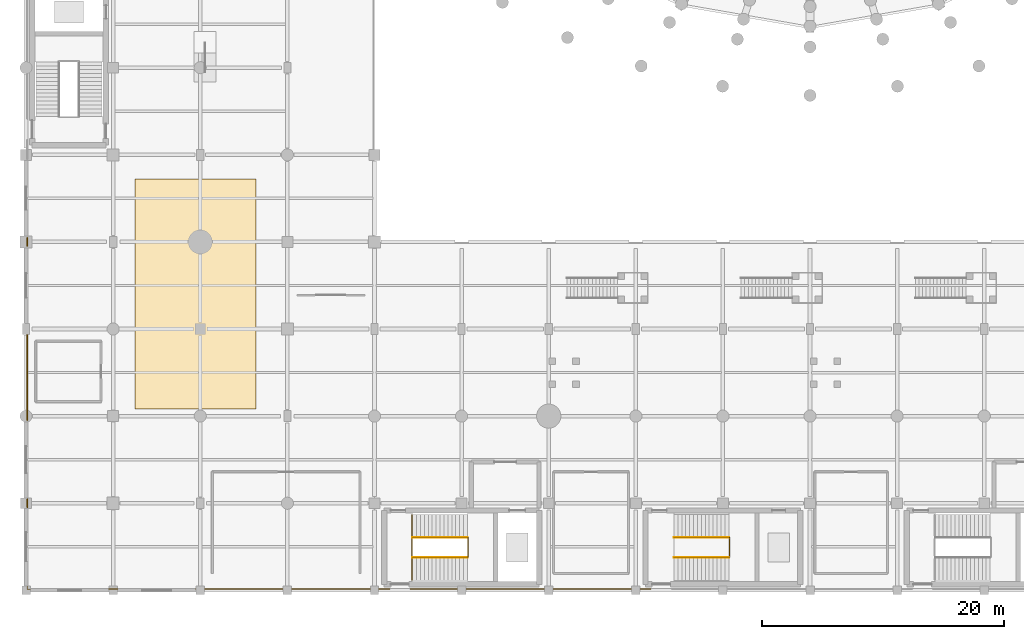
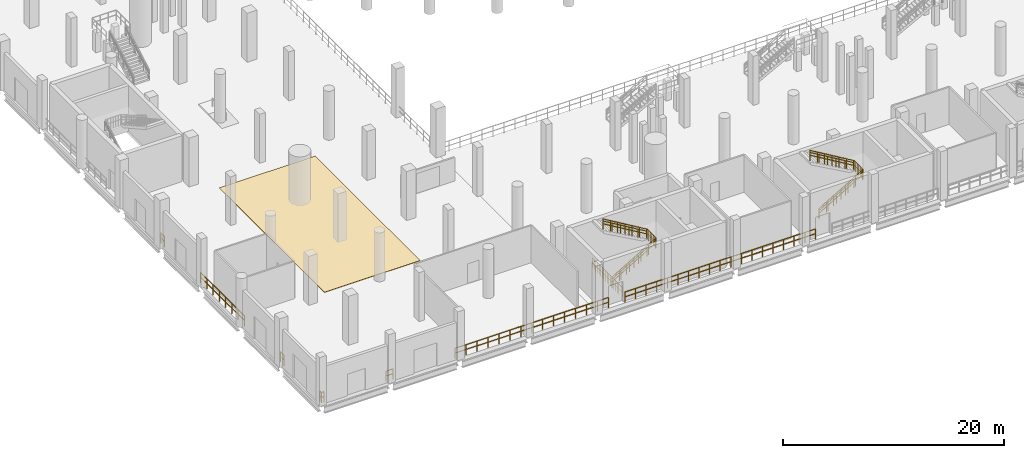
# One storey, part 45 of 58: 18 railings, 1 covering.
"""IFC4 building model written with IfcOpenShell, lengths in metres."""

from ifc_helpers import new_model, si_unit, direction, frame, origin, origin_2d, place, context, subcontext, project, spatial, polyline, circle, outline, extrude, material, layer, layer_set, type_object, element, save


model = new_model("IFC4")

# Units and contexts
model_context = context("Model", 3, precision=1e-05, world=origin(), true_north=direction((0.0, 1.0)))
body_context = subcontext(model_context, "Body", "Model", "MODEL_VIEW")
ifc_project = project(units=[si_unit("LENGTHUNIT", "METRE"), si_unit("AREAUNIT", "SQUARE_METRE"), si_unit("VOLUMEUNIT", "CUBIC_METRE"), si_unit("PLANEANGLEUNIT", "RADIAN"), si_unit("MASSUNIT", "GRAM", prefix="KILO")], contexts=[model_context])

# Site, building, storey
site_placement = place(None, origin())
site = spatial("IfcSite", under=ifc_project, at=site_placement, CompositionType="ELEMENT")
building_placement = place(site_placement, origin())
building = spatial("IfcBuilding", under=site, at=building_placement, Name="Qandorah Velis Arena", CompositionType="ELEMENT")
storey_placement = place(building_placement, origin())
storey = spatial("IfcBuildingStorey", under=building, at=storey_placement, Name="L00", CompositionType="ELEMENT", Elevation=0.0)

# Covering
ifc_material_1 = material(Name="Polished Riyadh limestone terrazzo flooring", Category="masonry")
ifc_layer = layer(ifc_material_1, 0.034912109375)
ifc_layer_set = layer_set([ifc_layer], Name="Polished Riyadh limestone terrazzo flooring")
covering_type = type_object("IfcCoveringType", Name="ARC-COV-FLOOR", PredefinedType="FLOORING", material=ifc_layer_set)
covering_placement = place(storey_placement, origin())
element("IfcCovering", 1, at=covering_placement, inside=storey, type_object=covering_type, Name="Polished terrazzo concourse flooring TF-02", PredefinedType="FLOORING", context=body_context, shape_type="SweptSolid", body=[
    extrude(outline(polyline([(9.0, 15.0), (19.0, 15.0), (19.0, 34.0), (9.0, 34.0), (9.0, 15.0)])), origin(), (0.0, 0.0, 1.0), 0.034912109375),
])

# Railings
ifc_material_2 = material(Name="Stainless steel 316", Category="steel")
railing_type_1 = type_object("IfcRailingType", Name="ARC-RL-GRD1150", PredefinedType="GUARDRAIL", material=ifc_material_2)
railing_1_placement = place(storey_placement, frame((31.909912109375, 0.860107421875, 0.0)))
element("IfcRailing", 2, at=railing_1_placement, inside=storey, type_object=railing_type_1, Name="Stair ST1 landing well-slot guardrail L00", PredefinedType="GUARDRAIL", context=body_context, shape_type="SweptSolid", body=[
    extrude(circle(Radius=0.02392578125, at=origin_2d()), frame((0.0, 0.0, 1.1259765625), z_axis=(0.0, 1.0, 0.0), x_axis=(-1.0, 0.0, 0.0)), (0.0, 0.0, 1.0), 5.3798828125),
    extrude(circle(Radius=0.02392578125, at=origin_2d()), frame((0.0, 0.0, 0.597900390625), z_axis=(0.0, 1.0, 0.0), x_axis=(-1.0, 0.0, 0.0)), (0.0, 0.0, 1.0), 5.3798828125),
    extrude(circle(Radius=0.02099609375, at=origin_2d()), origin(), (0.0, 0.0, 1.0), 1.101806640625),
    extrude(circle(Radius=0.02099609375, at=origin_2d()), frame((0.0, 0.298828125, 0.0)), (0.0, 0.0, 1.0), 1.101806640625),
    extrude(circle(Radius=0.02099609375, at=origin_2d()), frame((0.0, 0.59765625, 0.0)), (0.0, 0.0, 1.0), 1.101806640625),
    extrude(circle(Radius=0.02099609375, at=origin_2d()), frame((0.0, 0.896728515625, 0.0)), (0.0, 0.0, 1.0), 1.101806640625),
    extrude(circle(Radius=0.02099609375, at=origin_2d()), frame((0.0, 1.195556640625, 0.0)), (0.0, 0.0, 1.0), 1.101806640625),
    extrude(circle(Radius=0.02099609375, at=origin_2d()), frame((0.0, 1.494384765625, 0.0)), (0.0, 0.0, 1.0), 1.101806640625),
    extrude(circle(Radius=0.02099609375, at=origin_2d()), frame((0.0, 1.793212890625, 0.0)), (0.0, 0.0, 1.0), 1.101806640625),
    extrude(circle(Radius=0.02099609375, at=origin_2d()), frame((0.0, 2.09228515625, 0.0)), (0.0, 0.0, 1.0), 1.101806640625),
    extrude(circle(Radius=0.02099609375, at=origin_2d()), frame((0.0, 2.39111328125, 0.0)), (0.0, 0.0, 1.0), 1.101806640625),
    extrude(circle(Radius=0.02099609375, at=origin_2d()), frame((0.0, 2.68994140625, 0.0)), (0.0, 0.0, 1.0), 1.101806640625),
    extrude(circle(Radius=0.02099609375, at=origin_2d()), frame((0.0, 2.98876953125, 0.0)), (0.0, 0.0, 1.0), 1.101806640625),
    extrude(circle(Radius=0.02099609375, at=origin_2d()), frame((0.0, 3.28759765625, 0.0)), (0.0, 0.0, 1.0), 1.101806640625),
    extrude(circle(Radius=0.02099609375, at=origin_2d()), frame((0.0, 3.586669921875, 0.0)), (0.0, 0.0, 1.0), 1.101806640625),
    extrude(circle(Radius=0.02099609375, at=origin_2d()), frame((0.0, 3.885498046875, 0.0)), (0.0, 0.0, 1.0), 1.101806640625),
    extrude(circle(Radius=0.02099609375, at=origin_2d()), frame((0.0, 4.184326171875, 0.0)), (0.0, 0.0, 1.0), 1.101806640625),
    extrude(circle(Radius=0.02099609375, at=origin_2d()), frame((0.0, 4.483154296875, 0.0)), (0.0, 0.0, 1.0), 1.101806640625),
    extrude(circle(Radius=0.02099609375, at=origin_2d()), frame((0.0, 4.7822265625, 0.0)), (0.0, 0.0, 1.0), 1.101806640625),
    extrude(circle(Radius=0.02099609375, at=origin_2d()), frame((0.0, 5.0810546875, 0.0)), (0.0, 0.0, 1.0), 1.101806640625),
    extrude(circle(Radius=0.02099609375, at=origin_2d()), frame((0.0, 5.3798828125, 0.0)), (0.0, 0.0, 1.0), 1.101806640625),
])
railing_2_placement = place(storey_placement, frame((36.5458984375, 2.739990234375, 2.699951171875)))
element("IfcRailing", 3, at=railing_2_placement, inside=storey, type_object=railing_type_1, Name="Stair ST1 well guardrail (L00)", PredefinedType="GUARDRAIL", context=body_context, shape_type="SweptSolid", body=[
    extrude(circle(Radius=0.02392578125, at=origin_2d()), frame((0.0, 0.0, 1.1259765625), z_axis=(0.0, 1.0, 0.0), x_axis=(-1.0, 0.0, 0.0)), (0.0, 0.0, 1.0), 1.6201171875),
    extrude(circle(Radius=0.02392578125, at=origin_2d()), frame((0.0, 0.0, 0.597900390625), z_axis=(0.0, 1.0, 0.0), x_axis=(-1.0, 0.0, 0.0)), (0.0, 0.0, 1.0), 1.6201171875),
    extrude(circle(Radius=0.02099609375, at=origin_2d()), origin(), (0.0, 0.0, 1.0), 1.101806640625),
    extrude(circle(Radius=0.02099609375, at=origin_2d()), frame((0.0, 0.27001953125, 0.0)), (0.0, 0.0, 1.0), 1.101806640625),
    extrude(circle(Radius=0.02099609375, at=origin_2d()), frame((0.0, 0.5400390625, 0.0)), (0.0, 0.0, 1.0), 1.101806640625),
    extrude(circle(Radius=0.02099609375, at=origin_2d()), frame((0.0, 0.81005859375, 0.0)), (0.0, 0.0, 1.0), 1.101806640625),
    extrude(circle(Radius=0.02099609375, at=origin_2d()), frame((0.0, 1.080078125, 0.0)), (0.0, 0.0, 1.0), 1.101806640625),
    extrude(circle(Radius=0.02099609375, at=origin_2d()), frame((0.0, 1.35009765625, 0.0)), (0.0, 0.0, 1.0), 1.101806640625),
    extrude(circle(Radius=0.02099609375, at=origin_2d()), frame((0.0, 1.6201171875, 0.0)), (0.0, 0.0, 1.0), 1.101806640625),
])
railing_3_placement = place(storey_placement, frame((31.949951171875, 2.72998046875, 0.0)))
element("IfcRailing", 4, at=railing_3_placement, inside=storey, type_object=railing_type_1, Name="Stair ST1 inner flight 1 guardrail (L00)", PredefinedType="GUARDRAIL", context=body_context, shape_type="SweptSolid", body=[
    extrude(circle(Radius=0.02392578125, at=origin_2d()), frame((0.0, 0.0, 1.1259765625), z_axis=(0.859303531718, 0.0, 0.511465971866), x_axis=(0.0, 1.0, 0.0)), (0.0, 0.0, 1.0), 5.27880859375),
    extrude(circle(Radius=0.02392578125, at=origin_2d()), frame((0.0, 0.0, 0.597900390625), z_axis=(0.859303531718, 0.0, 0.511465971866), x_axis=(0.0, 1.0, 0.0)), (0.0, 0.0, 1.0), 5.27880859375),
    extrude(circle(Radius=0.02099609375, at=origin_2d()), origin(), (0.0, 0.0, 1.0), 1.101806640625),
    extrude(circle(Radius=0.02099609375, at=origin_2d()), frame((0.756103515625, 0.0, 0.449951171875)), (0.0, 0.0, 1.0), 1.101806640625),
    extrude(circle(Radius=0.02099609375, at=origin_2d()), frame((1.511962890625, 0.0, 0.89990234375)), (0.0, 0.0, 1.0), 1.101806640625),
    extrude(circle(Radius=0.02099609375, at=origin_2d()), frame((2.26806640625, 0.0, 1.35009765625)), (0.0, 0.0, 1.0), 1.101806640625),
    extrude(circle(Radius=0.02099609375, at=origin_2d()), frame((3.024169921875, 0.0, 1.800048828125)), (0.0, 0.0, 1.0), 1.101806640625),
    extrude(circle(Radius=0.02099609375, at=origin_2d()), frame((3.780029296875, 0.0, 2.25)), (0.0, 0.0, 1.0), 1.101806640625),
    extrude(circle(Radius=0.02099609375, at=origin_2d()), frame((4.5361328125, 0.0, 2.699951171875)), (0.0, 0.0, 1.0), 1.101806640625),
])
railing_4_placement = place(storey_placement, frame((36.486083984375, 4.3701171875, 2.699951171875)))
element("IfcRailing", 5, at=railing_4_placement, inside=storey, type_object=railing_type_1, Name="Stair ST1 inner flight 2 guardrail (L00)", PredefinedType="GUARDRAIL", context=body_context, shape_type="SweptSolid", body=[
    extrude(circle(Radius=0.02392578125, at=origin_2d()), frame((0.0, 0.0, 1.1259765625), z_axis=(-0.859303531718, 0.0, 0.511465971866), x_axis=(0.0, -1.0, 0.0)), (0.0, 0.0, 1.0), 5.27880859375),
    extrude(circle(Radius=0.02392578125, at=origin_2d()), frame((0.0, 0.0, 0.597900390625), z_axis=(-0.859303531718, 0.0, 0.511465971866), x_axis=(0.0, -1.0, 0.0)), (0.0, 0.0, 1.0), 5.27880859375),
    extrude(circle(Radius=0.02099609375, at=origin_2d()), origin(), (0.0, 0.0, 1.0), 1.101806640625),
    extrude(circle(Radius=0.02099609375, at=origin_2d()), frame((-0.756103515625, 0.0, 0.449951171875)), (0.0, 0.0, 1.0), 1.101806640625),
    extrude(circle(Radius=0.02099609375, at=origin_2d()), frame((-1.511962890625, 0.0, 0.89990234375)), (0.0, 0.0, 1.0), 1.101806640625),
    extrude(circle(Radius=0.02099609375, at=origin_2d()), frame((-2.26806640625, 0.0, 1.35009765625)), (0.0, 0.0, 1.0), 1.101806640625),
    extrude(circle(Radius=0.02099609375, at=origin_2d()), frame((-3.024169921875, 0.0, 1.800048828125)), (0.0, 0.0, 1.0), 1.101806640625),
    extrude(circle(Radius=0.02099609375, at=origin_2d()), frame((-3.780029296875, 0.0, 2.25)), (0.0, 0.0, 1.0), 1.101806640625),
    extrude(circle(Radius=0.02099609375, at=origin_2d()), frame((-4.5361328125, 0.0, 2.699951171875)), (0.0, 0.0, 1.0), 1.101806640625),
])
railing_5_placement = place(storey_placement, frame((58.14599609375, 2.739990234375, 2.699951171875)))
element("IfcRailing", 6, at=railing_5_placement, inside=storey, type_object=railing_type_1, Name="Stair ST9 well guardrail (L00)", PredefinedType="GUARDRAIL", context=body_context, shape_type="SweptSolid", body=[
    extrude(circle(Radius=0.02392578125, at=origin_2d()), frame((0.0, 0.0, 1.1259765625), z_axis=(0.0, 1.0, 0.0), x_axis=(-1.0, 0.0, 0.0)), (0.0, 0.0, 1.0), 1.6201171875),
    extrude(circle(Radius=0.02392578125, at=origin_2d()), frame((0.0, 0.0, 0.597900390625), z_axis=(0.0, 1.0, 0.0), x_axis=(-1.0, 0.0, 0.0)), (0.0, 0.0, 1.0), 1.6201171875),
    extrude(circle(Radius=0.02099609375, at=origin_2d()), origin(), (0.0, 0.0, 1.0), 1.101806640625),
    extrude(circle(Radius=0.02099609375, at=origin_2d()), frame((0.0, 0.27001953125, 0.0)), (0.0, 0.0, 1.0), 1.101806640625),
    extrude(circle(Radius=0.02099609375, at=origin_2d()), frame((0.0, 0.5400390625, 0.0)), (0.0, 0.0, 1.0), 1.101806640625),
    extrude(circle(Radius=0.02099609375, at=origin_2d()), frame((0.0, 0.81005859375, 0.0)), (0.0, 0.0, 1.0), 1.101806640625),
    extrude(circle(Radius=0.02099609375, at=origin_2d()), frame((0.0, 1.080078125, 0.0)), (0.0, 0.0, 1.0), 1.101806640625),
    extrude(circle(Radius=0.02099609375, at=origin_2d()), frame((0.0, 1.35009765625, 0.0)), (0.0, 0.0, 1.0), 1.101806640625),
    extrude(circle(Radius=0.02099609375, at=origin_2d()), frame((0.0, 1.6201171875, 0.0)), (0.0, 0.0, 1.0), 1.101806640625),
])
railing_6_placement = place(storey_placement, frame((53.550048828125, 2.72998046875, 0.0)))
element("IfcRailing", 7, at=railing_6_placement, inside=storey, type_object=railing_type_1, Name="Stair ST9 inner flight 1 guardrail (L00)", PredefinedType="GUARDRAIL", context=body_context, shape_type="SweptSolid", body=[
    extrude(circle(Radius=0.02392578125, at=origin_2d()), frame((0.0, 0.0, 1.1259765625), z_axis=(0.859291432417, 0.0, 0.511486299107), x_axis=(0.0, 1.0, 0.0)), (0.0, 0.0, 1.0), 5.278564453125),
    extrude(circle(Radius=0.02392578125, at=origin_2d()), frame((0.0, 0.0, 0.597900390625), z_axis=(0.859291432417, 0.0, 0.511486299107), x_axis=(0.0, 1.0, 0.0)), (0.0, 0.0, 1.0), 5.278564453125),
    extrude(circle(Radius=0.02099609375, at=origin_2d()), origin(), (0.0, 0.0, 1.0), 1.101806640625),
    extrude(circle(Radius=0.02099609375, at=origin_2d()), frame((0.755859375, 0.0, 0.449951171875)), (0.0, 0.0, 1.0), 1.101806640625),
    extrude(circle(Radius=0.02099609375, at=origin_2d()), frame((1.511962890625, 0.0, 0.89990234375)), (0.0, 0.0, 1.0), 1.101806640625),
    extrude(circle(Radius=0.02099609375, at=origin_2d()), frame((2.26806640625, 0.0, 1.35009765625)), (0.0, 0.0, 1.0), 1.101806640625),
    extrude(circle(Radius=0.02099609375, at=origin_2d()), frame((3.02392578125, 0.0, 1.800048828125)), (0.0, 0.0, 1.0), 1.101806640625),
    extrude(circle(Radius=0.02099609375, at=origin_2d()), frame((3.77978515625, 0.0, 2.25)), (0.0, 0.0, 1.0), 1.101806640625),
    extrude(circle(Radius=0.02099609375, at=origin_2d()), frame((4.535888671875, 0.0, 2.699951171875)), (0.0, 0.0, 1.0), 1.101806640625),
])
railing_7_placement = place(storey_placement, frame((58.0859375, 4.3701171875, 2.699951171875)))
element("IfcRailing", 8, at=railing_7_placement, inside=storey, type_object=railing_type_1, Name="Stair ST9 inner flight 2 guardrail (L00)", PredefinedType="GUARDRAIL", context=body_context, shape_type="SweptSolid", body=[
    extrude(circle(Radius=0.02392578125, at=origin_2d()), frame((0.0, 0.0, 1.1259765625), z_axis=(-0.859291432417, 0.0, 0.511486299107), x_axis=(0.0, -1.0, 0.0)), (0.0, 0.0, 1.0), 5.278564453125),
    extrude(circle(Radius=0.02392578125, at=origin_2d()), frame((0.0, 0.0, 0.597900390625), z_axis=(-0.859291432417, 0.0, 0.511486299107), x_axis=(0.0, -1.0, 0.0)), (0.0, 0.0, 1.0), 5.278564453125),
    extrude(circle(Radius=0.02099609375, at=origin_2d()), origin(), (0.0, 0.0, 1.0), 1.101806640625),
    extrude(circle(Radius=0.02099609375, at=origin_2d()), frame((-0.755859375, 0.0, 0.449951171875)), (0.0, 0.0, 1.0), 1.101806640625),
    extrude(circle(Radius=0.02099609375, at=origin_2d()), frame((-1.511962890625, 0.0, 0.89990234375)), (0.0, 0.0, 1.0), 1.101806640625),
    extrude(circle(Radius=0.02099609375, at=origin_2d()), frame((-2.26806640625, 0.0, 1.35009765625)), (0.0, 0.0, 1.0), 1.101806640625),
    extrude(circle(Radius=0.02099609375, at=origin_2d()), frame((-3.02392578125, 0.0, 1.800048828125)), (0.0, 0.0, 1.0), 1.101806640625),
    extrude(circle(Radius=0.02099609375, at=origin_2d()), frame((-3.77978515625, 0.0, 2.25)), (0.0, 0.0, 1.0), 1.101806640625),
    extrude(circle(Radius=0.02099609375, at=origin_2d()), frame((-4.535888671875, 0.0, 2.699951171875)), (0.0, 0.0, 1.0), 1.101806640625),
])
railing_8_placement = place(storey_placement, frame((51.6298828125, 0.10009765625, 0.0)))
element("IfcRailing", 9, at=railing_8_placement, inside=storey, type_object=railing_type_1, Name="Slab edge safety guardrail L00-023", PredefinedType="GUARDRAIL", context=body_context, shape_type="SweptSolid", body=[
    extrude(circle(Radius=0.02392578125, at=origin_2d()), frame((0.0, 0.0, 1.1259765625), z_axis=(-1.0, 0.0, 0.0), x_axis=(0.0, -1.0, 0.0)), (0.0, 0.0, 1.0), 19.85986328125),
    extrude(circle(Radius=0.02392578125, at=origin_2d()), frame((0.0, 0.0, 0.597900390625), z_axis=(-1.0, 0.0, 0.0), x_axis=(0.0, -1.0, 0.0)), (0.0, 0.0, 1.0), 19.85986328125),
    extrude(circle(Radius=0.02099609375, at=origin_2d()), origin(), (0.0, 0.0, 1.0), 1.101806640625),
    extrude(circle(Radius=0.02099609375, at=origin_2d()), frame((-1.103271484375, 0.0, 0.0)), (0.0, 0.0, 1.0), 1.101806640625),
    extrude(circle(Radius=0.02099609375, at=origin_2d()), frame((-2.20654296875, 0.0, 0.0)), (0.0, 0.0, 1.0), 1.101806640625),
    extrude(circle(Radius=0.02099609375, at=origin_2d()), frame((-3.31005859375, 0.0, 0.0)), (0.0, 0.0, 1.0), 1.101806640625),
    extrude(circle(Radius=0.02099609375, at=origin_2d()), frame((-4.413330078125, 0.0, 0.0)), (0.0, 0.0, 1.0), 1.101806640625),
    extrude(circle(Radius=0.02099609375, at=origin_2d()), frame((-5.5166015625, 0.0, 0.0)), (0.0, 0.0, 1.0), 1.101806640625),
    extrude(circle(Radius=0.02099609375, at=origin_2d()), frame((-6.619873046875, 0.0, 0.0)), (0.0, 0.0, 1.0), 1.101806640625),
    extrude(circle(Radius=0.02099609375, at=origin_2d()), frame((-7.723388671875, 0.0, 0.0)), (0.0, 0.0, 1.0), 1.101806640625),
    extrude(circle(Radius=0.02099609375, at=origin_2d()), frame((-8.82666015625, 0.0, 0.0)), (0.0, 0.0, 1.0), 1.101806640625),
    extrude(circle(Radius=0.02099609375, at=origin_2d()), frame((-9.929931640625, 0.0, 0.0)), (0.0, 0.0, 1.0), 1.101806640625),
    extrude(circle(Radius=0.02099609375, at=origin_2d()), frame((-11.033203125, 0.0, 0.0)), (0.0, 0.0, 1.0), 1.101806640625),
    extrude(circle(Radius=0.02099609375, at=origin_2d()), frame((-12.136474609375, 0.0, 0.0)), (0.0, 0.0, 1.0), 1.101806640625),
    extrude(circle(Radius=0.02099609375, at=origin_2d()), frame((-13.239990234375, 0.0, 0.0)), (0.0, 0.0, 1.0), 1.101806640625),
    extrude(circle(Radius=0.02099609375, at=origin_2d()), frame((-14.34326171875, 0.0, 0.0)), (0.0, 0.0, 1.0), 1.101806640625),
    extrude(circle(Radius=0.02099609375, at=origin_2d()), frame((-15.446533203125, 0.0, 0.0)), (0.0, 0.0, 1.0), 1.101806640625),
    extrude(circle(Radius=0.02099609375, at=origin_2d()), frame((-16.5498046875, 0.0, 0.0)), (0.0, 0.0, 1.0), 1.101806640625),
    extrude(circle(Radius=0.02099609375, at=origin_2d()), frame((-17.6533203125, 0.0, 0.0)), (0.0, 0.0, 1.0), 1.101806640625),
    extrude(circle(Radius=0.02099609375, at=origin_2d()), frame((-18.756591796875, 0.0, 0.0)), (0.0, 0.0, 1.0), 1.101806640625),
    extrude(circle(Radius=0.02099609375, at=origin_2d()), frame((-19.85986328125, 0.0, 0.0)), (0.0, 0.0, 1.0), 1.101806640625),
])
railing_9_placement = place(storey_placement, frame((30.030029296875, 0.10009765625, 0.0)))
element("IfcRailing", 10, at=railing_9_placement, inside=storey, type_object=railing_type_1, Name="Slab edge safety guardrail L00-024", PredefinedType="GUARDRAIL", context=body_context, shape_type="SweptSolid", body=[
    extrude(circle(Radius=0.02392578125, at=origin_2d()), frame((0.0, 0.0, 1.1259765625), z_axis=(-1.0, 0.0, 0.0), x_axis=(0.0, -1.0, 0.0)), (0.0, 0.0, 1.0), 15.97998046875),
    extrude(circle(Radius=0.02392578125, at=origin_2d()), frame((0.0, 0.0, 0.597900390625), z_axis=(-1.0, 0.0, 0.0), x_axis=(0.0, -1.0, 0.0)), (0.0, 0.0, 1.0), 15.97998046875),
    extrude(circle(Radius=0.02099609375, at=origin_2d()), origin(), (0.0, 0.0, 1.0), 1.101806640625),
    extrude(circle(Radius=0.02099609375, at=origin_2d()), frame((-1.141357421875, 0.0, 0.0)), (0.0, 0.0, 1.0), 1.101806640625),
    extrude(circle(Radius=0.02099609375, at=origin_2d()), frame((-2.282958984375, 0.0, 0.0)), (0.0, 0.0, 1.0), 1.101806640625),
    extrude(circle(Radius=0.02099609375, at=origin_2d()), frame((-3.42431640625, 0.0, 0.0)), (0.0, 0.0, 1.0), 1.101806640625),
    extrude(circle(Radius=0.02099609375, at=origin_2d()), frame((-4.565673828125, 0.0, 0.0)), (0.0, 0.0, 1.0), 1.101806640625),
    extrude(circle(Radius=0.02099609375, at=origin_2d()), frame((-5.70703125, 0.0, 0.0)), (0.0, 0.0, 1.0), 1.101806640625),
    extrude(circle(Radius=0.02099609375, at=origin_2d()), frame((-6.8486328125, 0.0, 0.0)), (0.0, 0.0, 1.0), 1.101806640625),
    extrude(circle(Radius=0.02099609375, at=origin_2d()), frame((-7.989990234375, 0.0, 0.0)), (0.0, 0.0, 1.0), 1.101806640625),
    extrude(circle(Radius=0.02099609375, at=origin_2d()), frame((-9.13134765625, 0.0, 0.0)), (0.0, 0.0, 1.0), 1.101806640625),
    extrude(circle(Radius=0.02099609375, at=origin_2d()), frame((-10.27294921875, 0.0, 0.0)), (0.0, 0.0, 1.0), 1.101806640625),
    extrude(circle(Radius=0.02099609375, at=origin_2d()), frame((-11.414306640625, 0.0, 0.0)), (0.0, 0.0, 1.0), 1.101806640625),
    extrude(circle(Radius=0.02099609375, at=origin_2d()), frame((-12.5556640625, 0.0, 0.0)), (0.0, 0.0, 1.0), 1.101806640625),
    extrude(circle(Radius=0.02099609375, at=origin_2d()), frame((-13.697021484375, 0.0, 0.0)), (0.0, 0.0, 1.0), 1.101806640625),
    extrude(circle(Radius=0.02099609375, at=origin_2d()), frame((-14.838623046875, 0.0, 0.0)), (0.0, 0.0, 1.0), 1.101806640625),
    extrude(circle(Radius=0.02099609375, at=origin_2d()), frame((-15.97998046875, 0.0, 0.0)), (0.0, 0.0, 1.0), 1.101806640625),
])
railing_10_placement = place(storey_placement, frame((7.550048828125, 0.10009765625, 0.0)))
element("IfcRailing", 11, at=railing_10_placement, inside=storey, type_object=railing_type_1, Name="Slab edge safety guardrail L00-025", PredefinedType="GUARDRAIL", context=body_context, shape_type="SweptSolid", body=[
    extrude(circle(Radius=0.02392578125, at=origin_2d()), frame((0.0, 0.0, 1.1259765625), z_axis=(-1.0, 0.0, 0.0), x_axis=(0.0, -1.0, 0.0)), (0.0, 0.0, 1.0), 0.699951171875),
    extrude(circle(Radius=0.02392578125, at=origin_2d()), frame((0.0, 0.0, 0.597900390625), z_axis=(-1.0, 0.0, 0.0), x_axis=(0.0, -1.0, 0.0)), (0.0, 0.0, 1.0), 0.699951171875),
    extrude(circle(Radius=0.02099609375, at=origin_2d()), origin(), (0.0, 0.0, 1.0), 1.101806640625),
    extrude(circle(Radius=0.02099609375, at=origin_2d()), frame((-0.699951171875, 0.0, 0.0)), (0.0, 0.0, 1.0), 1.101806640625),
])
railing_11_placement = place(storey_placement, frame((0.35009765625, 0.10009765625, 0.0)))
element("IfcRailing", 12, at=railing_11_placement, inside=storey, type_object=railing_type_1, Name="Slab edge safety guardrail L00-026", PredefinedType="GUARDRAIL", context=body_context, shape_type="SweptSolid", body=[
    extrude(circle(Radius=0.02392578125, at=origin_2d()), frame((0.0, 0.0, 1.1259765625), z_axis=(-1.0, 0.0, 0.0), x_axis=(0.0, -1.0, 0.0)), (0.0, 0.0, 1.0), 0.25),
    extrude(circle(Radius=0.02392578125, at=origin_2d()), frame((0.0, 0.0, 0.597900390625), z_axis=(-1.0, 0.0, 0.0), x_axis=(0.0, -1.0, 0.0)), (0.0, 0.0, 1.0), 0.25),
    extrude(circle(Radius=0.02392578125, at=origin_2d()), frame((-0.25, 0.0, 1.1259765625), z_axis=(0.0, 1.0, 0.0), x_axis=(-1.0, 0.0, 0.0)), (0.0, 0.0, 1.0), 0.25),
    extrude(circle(Radius=0.02392578125, at=origin_2d()), frame((-0.25, 0.0, 0.597900390625), z_axis=(0.0, 1.0, 0.0), x_axis=(-1.0, 0.0, 0.0)), (0.0, 0.0, 1.0), 0.25),
    extrude(circle(Radius=0.02099609375, at=origin_2d()), origin(), (0.0, 0.0, 1.0), 1.101806640625),
    extrude(circle(Radius=0.02099609375, at=origin_2d()), frame((-0.25, 0.0, 0.0)), (0.0, 0.0, 1.0), 1.101806640625),
    extrude(circle(Radius=0.02099609375, at=origin_2d()), frame((-0.25, 0.25, 0.0)), (0.0, 0.0, 1.0), 1.101806640625),
])
railing_12_placement = place(storey_placement, frame((0.10009765625, 6.85009765625, 0.0)))
element("IfcRailing", 13, at=railing_12_placement, inside=storey, type_object=railing_type_1, Name="Slab edge safety guardrail L00-027", PredefinedType="GUARDRAIL", context=body_context, shape_type="SweptSolid", body=[
    extrude(circle(Radius=0.02392578125, at=origin_2d()), frame((0.0, 0.0, 1.1259765625), z_axis=(0.0, 1.0, 0.0), x_axis=(-1.0, 0.0, 0.0)), (0.0, 0.0, 1.0), 0.699951171875),
    extrude(circle(Radius=0.02392578125, at=origin_2d()), frame((0.0, 0.0, 0.597900390625), z_axis=(0.0, 1.0, 0.0), x_axis=(-1.0, 0.0, 0.0)), (0.0, 0.0, 1.0), 0.699951171875),
    extrude(circle(Radius=0.02099609375, at=origin_2d()), origin(), (0.0, 0.0, 1.0), 1.101806640625),
    extrude(circle(Radius=0.02099609375, at=origin_2d()), frame((0.0, 0.699951171875, 0.0)), (0.0, 0.0, 1.0), 1.101806640625),
])
railing_13_placement = place(storey_placement, frame((0.10009765625, 14.050048828125, 0.0)))
element("IfcRailing", 14, at=railing_13_placement, inside=storey, type_object=railing_type_1, Name="Slab edge safety guardrail L00-028", PredefinedType="GUARDRAIL", context=body_context, shape_type="SweptSolid", body=[
    extrude(circle(Radius=0.02392578125, at=origin_2d()), frame((0.0, 0.0, 1.1259765625), z_axis=(0.0, 1.0, 0.0), x_axis=(-1.0, 0.0, 0.0)), (0.0, 0.0, 1.0), 7.89990234375),
    extrude(circle(Radius=0.02392578125, at=origin_2d()), frame((0.0, 0.0, 0.597900390625), z_axis=(0.0, 1.0, 0.0), x_axis=(-1.0, 0.0, 0.0)), (0.0, 0.0, 1.0), 7.89990234375),
    extrude(circle(Radius=0.02099609375, at=origin_2d()), origin(), (0.0, 0.0, 1.0), 1.101806640625),
    extrude(circle(Radius=0.02099609375, at=origin_2d()), frame((0.0, 1.128662109375, 0.0)), (0.0, 0.0, 1.0), 1.101806640625),
    extrude(circle(Radius=0.02099609375, at=origin_2d()), frame((0.0, 2.257080078125, 0.0)), (0.0, 0.0, 1.0), 1.101806640625),
    extrude(circle(Radius=0.02099609375, at=origin_2d()), frame((0.0, 3.3857421875, 0.0)), (0.0, 0.0, 1.0), 1.101806640625),
    extrude(circle(Radius=0.02099609375, at=origin_2d()), frame((0.0, 4.51416015625, 0.0)), (0.0, 0.0, 1.0), 1.101806640625),
    extrude(circle(Radius=0.02099609375, at=origin_2d()), frame((0.0, 5.642822265625, 0.0)), (0.0, 0.0, 1.0), 1.101806640625),
    extrude(circle(Radius=0.02099609375, at=origin_2d()), frame((0.0, 6.771240234375, 0.0)), (0.0, 0.0, 1.0), 1.101806640625),
    extrude(circle(Radius=0.02099609375, at=origin_2d()), frame((0.0, 7.89990234375, 0.0)), (0.0, 0.0, 1.0), 1.101806640625),
])
railing_14_placement = place(storey_placement, frame((0.10009765625, 28.449951171875, 0.0)))
element("IfcRailing", 15, at=railing_14_placement, inside=storey, type_object=railing_type_1, Name="Slab edge safety guardrail L00-029", PredefinedType="GUARDRAIL", context=body_context, shape_type="SweptSolid", body=[
    extrude(circle(Radius=0.02392578125, at=origin_2d()), frame((0.0, 0.0, 1.1259765625), z_axis=(0.0, 1.0, 0.0), x_axis=(-1.0, 0.0, 0.0)), (0.0, 0.0, 1.0), 0.699951171875),
    extrude(circle(Radius=0.02392578125, at=origin_2d()), frame((0.0, 0.0, 0.597900390625), z_axis=(0.0, 1.0, 0.0), x_axis=(-1.0, 0.0, 0.0)), (0.0, 0.0, 1.0), 0.699951171875),
    extrude(circle(Radius=0.02099609375, at=origin_2d()), origin(), (0.0, 0.0, 1.0), 1.101806640625),
    extrude(circle(Radius=0.02099609375, at=origin_2d()), frame((0.0, 0.699951171875, 0.0)), (0.0, 0.0, 1.0), 1.101806640625),
])
railing_type_2 = type_object("IfcRailingType", Name="ARC-RL-HND920", PredefinedType="HANDRAIL", material=ifc_material_2)
railing_15_placement = place(storey_placement, frame((31.949951171875, 2.72998046875, 0.0)))
element("IfcRailing", 16, at=railing_15_placement, inside=storey, type_object=railing_type_2, Name="Stair ST1 inner handrail 1 (L00)", PredefinedType="HANDRAIL", context=body_context, shape_type="SweptSolid", body=[
    extrude(circle(Radius=0.02392578125, at=origin_2d()), frame((0.0, 0.0, 0.89599609375), z_axis=(0.859303531718, 0.0, 0.511465971866), x_axis=(0.0, 1.0, 0.0)), (0.0, 0.0, 1.0), 5.27880859375),
    extrude(circle(Radius=0.02099609375, at=origin_2d()), origin(), (0.0, 0.0, 1.0), 0.871826171875),
    extrude(circle(Radius=0.02099609375, at=origin_2d()), frame((0.9072265625, 0.0, 0.5400390625)), (0.0, 0.0, 1.0), 0.871826171875),
    extrude(circle(Radius=0.02099609375, at=origin_2d()), frame((1.814453125, 0.0, 1.080078125)), (0.0, 0.0, 1.0), 0.871826171875),
    extrude(circle(Radius=0.02099609375, at=origin_2d()), frame((2.7216796875, 0.0, 1.619873046875)), (0.0, 0.0, 1.0), 0.871826171875),
    extrude(circle(Radius=0.02099609375, at=origin_2d()), frame((3.62890625, 0.0, 2.159912109375)), (0.0, 0.0, 1.0), 0.871826171875),
    extrude(circle(Radius=0.02099609375, at=origin_2d()), frame((4.5361328125, 0.0, 2.699951171875)), (0.0, 0.0, 1.0), 0.871826171875),
])
railing_16_placement = place(storey_placement, frame((36.486083984375, 4.3701171875, 2.699951171875)))
element("IfcRailing", 17, at=railing_16_placement, inside=storey, type_object=railing_type_2, Name="Stair ST1 inner handrail 2 (L00)", PredefinedType="HANDRAIL", context=body_context, shape_type="SweptSolid", body=[
    extrude(circle(Radius=0.02392578125, at=origin_2d()), frame((0.0, 0.0, 0.89599609375), z_axis=(-0.859303531718, 0.0, 0.511465971866), x_axis=(0.0, -1.0, 0.0)), (0.0, 0.0, 1.0), 5.27880859375),
    extrude(circle(Radius=0.02099609375, at=origin_2d()), origin(), (0.0, 0.0, 1.0), 0.871826171875),
    extrude(circle(Radius=0.02099609375, at=origin_2d()), frame((-0.9072265625, 0.0, 0.5400390625)), (0.0, 0.0, 1.0), 0.871826171875),
    extrude(circle(Radius=0.02099609375, at=origin_2d()), frame((-1.814453125, 0.0, 1.080078125)), (0.0, 0.0, 1.0), 0.871826171875),
    extrude(circle(Radius=0.02099609375, at=origin_2d()), frame((-2.7216796875, 0.0, 1.619873046875)), (0.0, 0.0, 1.0), 0.871826171875),
    extrude(circle(Radius=0.02099609375, at=origin_2d()), frame((-3.62890625, 0.0, 2.159912109375)), (0.0, 0.0, 1.0), 0.871826171875),
    extrude(circle(Radius=0.02099609375, at=origin_2d()), frame((-4.5361328125, 0.0, 2.699951171875)), (0.0, 0.0, 1.0), 0.871826171875),
])
railing_17_placement = place(storey_placement, frame((53.550048828125, 2.72998046875, 0.0)))
element("IfcRailing", 18, at=railing_17_placement, inside=storey, type_object=railing_type_2, Name="Stair ST9 inner handrail 1 (L00)", PredefinedType="HANDRAIL", context=body_context, shape_type="SweptSolid", body=[
    extrude(circle(Radius=0.02392578125, at=origin_2d()), frame((0.0, 0.0, 0.89599609375), z_axis=(0.859291432417, 0.0, 0.511486299107), x_axis=(0.0, 1.0, 0.0)), (0.0, 0.0, 1.0), 5.278564453125),
    extrude(circle(Radius=0.02099609375, at=origin_2d()), origin(), (0.0, 0.0, 1.0), 0.871826171875),
    extrude(circle(Radius=0.02099609375, at=origin_2d()), frame((0.9072265625, 0.0, 0.5400390625)), (0.0, 0.0, 1.0), 0.871826171875),
    extrude(circle(Radius=0.02099609375, at=origin_2d()), frame((1.814453125, 0.0, 1.080078125)), (0.0, 0.0, 1.0), 0.871826171875),
    extrude(circle(Radius=0.02099609375, at=origin_2d()), frame((2.721435546875, 0.0, 1.619873046875)), (0.0, 0.0, 1.0), 0.871826171875),
    extrude(circle(Radius=0.02099609375, at=origin_2d()), frame((3.628662109375, 0.0, 2.159912109375)), (0.0, 0.0, 1.0), 0.871826171875),
    extrude(circle(Radius=0.02099609375, at=origin_2d()), frame((4.535888671875, 0.0, 2.699951171875)), (0.0, 0.0, 1.0), 0.871826171875),
])
railing_18_placement = place(storey_placement, frame((58.0859375, 4.3701171875, 2.699951171875)))
element("IfcRailing", 19, at=railing_18_placement, inside=storey, type_object=railing_type_2, Name="Stair ST9 inner handrail 2 (L00)", PredefinedType="HANDRAIL", context=body_context, shape_type="SweptSolid", body=[
    extrude(circle(Radius=0.02392578125, at=origin_2d()), frame((0.0, 0.0, 0.89599609375), z_axis=(-0.859291432417, 0.0, 0.511486299107), x_axis=(0.0, -1.0, 0.0)), (0.0, 0.0, 1.0), 5.278564453125),
    extrude(circle(Radius=0.02099609375, at=origin_2d()), origin(), (0.0, 0.0, 1.0), 0.871826171875),
    extrude(circle(Radius=0.02099609375, at=origin_2d()), frame((-0.9072265625, 0.0, 0.5400390625)), (0.0, 0.0, 1.0), 0.871826171875),
    extrude(circle(Radius=0.02099609375, at=origin_2d()), frame((-1.814453125, 0.0, 1.080078125)), (0.0, 0.0, 1.0), 0.871826171875),
    extrude(circle(Radius=0.02099609375, at=origin_2d()), frame((-2.721435546875, 0.0, 1.619873046875)), (0.0, 0.0, 1.0), 0.871826171875),
    extrude(circle(Radius=0.02099609375, at=origin_2d()), frame((-3.628662109375, 0.0, 2.159912109375)), (0.0, 0.0, 1.0), 0.871826171875),
    extrude(circle(Radius=0.02099609375, at=origin_2d()), frame((-4.535888671875, 0.0, 2.699951171875)), (0.0, 0.0, 1.0), 0.871826171875),
])

save(model, "model.ifc")
